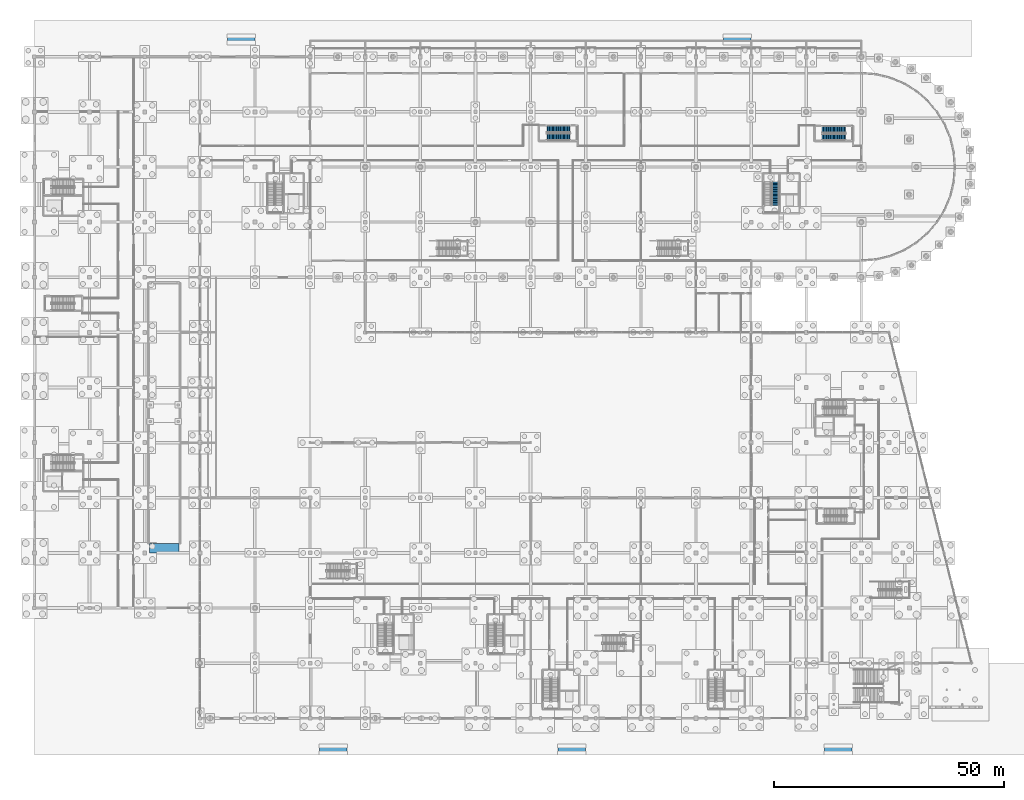
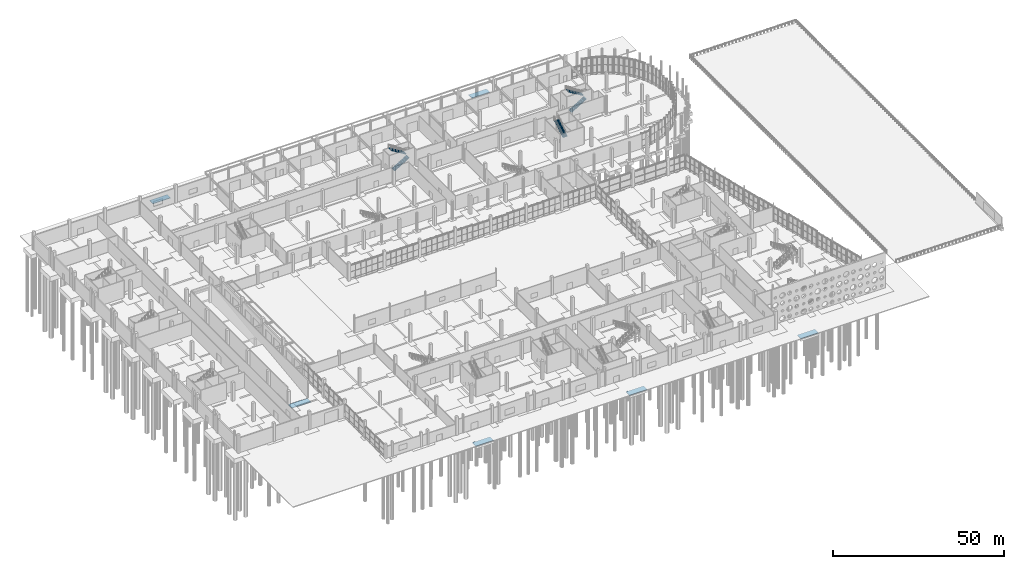
# One storey, part 99 of 117: 6 ramp flights, 5 stair flights, 9 elements without a shape of their own.
"""IFC4 building model written with IfcOpenShell, lengths in metres."""

from ifc_helpers import new_model, si_unit, direction, frame, origin, place, context, subcontext, project, spatial, polyline, outline, extrude, material, layer, layer_set, type_object, element, aggregate, save


model = new_model("IFC4")

# Units and contexts
model_context = context("Model", 3, precision=1e-05, world=origin(), true_north=direction((0.0, 1.0)))
body_context = subcontext(model_context, "Body", "Model", "MODEL_VIEW")
ifc_project = project(units=[si_unit("LENGTHUNIT", "METRE"), si_unit("AREAUNIT", "SQUARE_METRE"), si_unit("VOLUMEUNIT", "CUBIC_METRE"), si_unit("PLANEANGLEUNIT", "RADIAN"), si_unit("MASSUNIT", "GRAM", prefix="KILO")], contexts=[model_context])

# Site, building, storey
site_placement = place(None, origin())
site = spatial("IfcSite", under=ifc_project, at=site_placement, CompositionType="ELEMENT")
building_placement = place(site_placement, origin())
building = spatial("IfcBuilding", under=site, at=building_placement, Name="Kamomehara Wholesale Market", CompositionType="ELEMENT")
storey_placement = place(building_placement, origin())
storey = spatial("IfcBuildingStorey", under=building, at=storey_placement, Name="L00", CompositionType="ELEMENT", Elevation=0.0)

# Stair, stair flight
ifc_material_1 = material(Name="Concrete Fc36 (C35/45)", Category="concrete")
stair_type_1 = type_object("IfcStairType", Name="STR-DL-02", PredefinedType="HALF_TURN_STAIR", material=ifc_material_1)
stair_1_placement = place(storey_placement, origin())
stair_1 = element("IfcStair", 1, at=stair_1_placement, inside=storey, type_object=stair_type_1, Name="L00 Core exit stair ST-02", PredefinedType="HALF_TURN_STAIR")
ifc_material_2 = material(Name="Concrete Fc36 (C35/45)", Category="concrete")
ifc_layer_1 = layer(ifc_material_2, 0.199951171875)
ifc_layer_set_1 = layer_set([ifc_layer_1], Name="Concrete Fc36 (C35/45)")
stair_flight_type_1 = type_object("IfcStairFlightType", Name="SFL-01", PredefinedType="STRAIGHT", material=ifc_layer_set_1)
stair_flight_1_placement = place(storey_placement, frame((161.300048828125, 123.64990234375, 3.300048828125), z_axis=(0.0, 0.0, 1.0), x_axis=(0.0, 1.0, 0.0)))
stair_flight_1 = element("IfcStairFlight", 2, at=stair_flight_1_placement, type_object=stair_flight_type_1, Name="ST-02 flight 2", NumberOfRisers=18, NumberOfTreads=17, PredefinedType="STRAIGHT", RiserHeight=0.183333333, TreadLength=0.3, context=body_context, shape_type="SweptSolid", body=[
    extrude(outline(polyline([(0.0, 0.0), (0.0, 0.183349609375), (0.300048828125, 0.183349609375), (0.300048828125, 0.36669921875), (0.60009765625, 0.36669921875), (0.60009765625, 0.550048828125), (0.89990234375, 0.550048828125), (0.89990234375, 0.7333984375), (1.199951171875, 0.7333984375), (1.199951171875, 0.916748046875), (1.5, 0.916748046875), (1.5, 1.10009765625), (1.800048828125, 1.10009765625), (1.800048828125, 1.283447265625), (2.10009765625, 1.283447265625), (2.10009765625, 1.466552734375), (2.39990234375, 1.466552734375), (2.39990234375, 1.64990234375), (2.699951171875, 1.64990234375), (2.699951171875, 1.833251953125), (3.0, 1.833251953125), (3.0, 2.0166015625), (3.300048828125, 2.0166015625), (3.300048828125, 2.199951171875), (3.60009765625, 2.199951171875), (3.60009765625, 2.38330078125), (3.89990234375, 2.38330078125), (3.89990234375, 2.566650390625), (4.199951171875, 2.566650390625), (4.199951171875, 2.75), (4.5, 2.75), (4.5, 2.933349609375), (4.800048828125, 2.933349609375), (4.800048828125, 3.11669921875), (5.10009765625, 3.11669921875), (5.10009765625, 3.300048828125), (5.10009765625, 2.88232421875), (0.383544921875, 0.0), (0.0, 0.0)])), frame((0.0, 0.800048828125, 0.0), z_axis=(0.0, -1.0, 0.0), x_axis=(1.0, 0.0, 0.0)), (0.0, 0.0, 1.0), 1.60009765625),
])
aggregate(stair_1, [stair_flight_1])

# Stair, stair flights
ifc_material_3 = material(Name="Concrete Fc36 (C35/45)", Category="concrete")
stair_type_2 = type_object("IfcStairType", Name="STR-DL-04", PredefinedType="HALF_TURN_STAIR", material=ifc_material_3)
stair_2_placement = place(storey_placement, origin())
stair_2 = element("IfcStair", 3, at=stair_2_placement, inside=storey, type_object=stair_type_2, Name="L00 Exit stair ST-13", PredefinedType="HALF_TURN_STAIR")
stair_flight_2_placement = place(storey_placement, frame((111.530029296875, 138.514892578125, 0.0), z_axis=(0.0, 0.0, 1.0), x_axis=(1.0, 0.0, 0.0)))
stair_flight_2 = element("IfcStairFlight", 4, at=stair_flight_2_placement, type_object=stair_flight_type_1, Name="ST-13 flight 1", NumberOfRisers=18, NumberOfTreads=17, PredefinedType="STRAIGHT", RiserHeight=0.183333333, TreadLength=0.3, context=body_context, shape_type="SweptSolid", body=[
    extrude(outline(polyline([(0.0, 0.0), (0.0, 0.183349609375), (0.300048828125, 0.183349609375), (0.300048828125, 0.36669921875), (0.60009765625, 0.36669921875), (0.60009765625, 0.550048828125), (0.89990234375, 0.550048828125), (0.89990234375, 0.7333984375), (1.199951171875, 0.7333984375), (1.199951171875, 0.916748046875), (1.5, 0.916748046875), (1.5, 1.10009765625), (1.800048828125, 1.10009765625), (1.800048828125, 1.283447265625), (2.10009765625, 1.283447265625), (2.10009765625, 1.466552734375), (2.39990234375, 1.466552734375), (2.39990234375, 1.64990234375), (2.699951171875, 1.64990234375), (2.699951171875, 1.833251953125), (3.0, 1.833251953125), (3.0, 2.0166015625), (3.300048828125, 2.0166015625), (3.300048828125, 2.199951171875), (3.60009765625, 2.199951171875), (3.60009765625, 2.38330078125), (3.89990234375, 2.38330078125), (3.89990234375, 2.566650390625), (4.199951171875, 2.566650390625), (4.199951171875, 2.75), (4.5, 2.75), (4.5, 2.933349609375), (4.800048828125, 2.933349609375), (4.800048828125, 3.11669921875), (5.10009765625, 3.11669921875), (5.10009765625, 3.300048828125), (5.10009765625, 2.88232421875), (0.383544921875, 0.0), (0.0, 0.0)])), frame((0.0, 0.76513671875, 0.0), z_axis=(0.0, -1.0, 0.0), x_axis=(1.0, 0.0, 0.0)), (0.0, 0.0, 1.0), 1.530029296875),
])
stair_flight_3_placement = place(storey_placement, frame((116.6298828125, 140.2451171875, 3.300048828125), z_axis=(0.0, 0.0, 1.0), x_axis=(-1.0, 0.0, 0.0)))
stair_flight_3 = element("IfcStairFlight", 5, at=stair_flight_3_placement, type_object=stair_flight_type_1, Name="ST-13 flight 2", NumberOfRisers=18, NumberOfTreads=17, PredefinedType="STRAIGHT", RiserHeight=0.183333333, TreadLength=0.3, context=body_context, shape_type="SweptSolid", body=[
    extrude(outline(polyline([(0.0, 0.0), (0.0, 0.183349609375), (0.300048828125, 0.183349609375), (0.300048828125, 0.36669921875), (0.60009765625, 0.36669921875), (0.60009765625, 0.550048828125), (0.89990234375, 0.550048828125), (0.89990234375, 0.7333984375), (1.199951171875, 0.7333984375), (1.199951171875, 0.916748046875), (1.5, 0.916748046875), (1.5, 1.10009765625), (1.800048828125, 1.10009765625), (1.800048828125, 1.283447265625), (2.10009765625, 1.283447265625), (2.10009765625, 1.466552734375), (2.39990234375, 1.466552734375), (2.39990234375, 1.64990234375), (2.699951171875, 1.64990234375), (2.699951171875, 1.833251953125), (3.0, 1.833251953125), (3.0, 2.0166015625), (3.300048828125, 2.0166015625), (3.300048828125, 2.199951171875), (3.60009765625, 2.199951171875), (3.60009765625, 2.38330078125), (3.89990234375, 2.38330078125), (3.89990234375, 2.566650390625), (4.199951171875, 2.566650390625), (4.199951171875, 2.75), (4.5, 2.75), (4.5, 2.933349609375), (4.800048828125, 2.933349609375), (4.800048828125, 3.11669921875), (5.10009765625, 3.11669921875), (5.10009765625, 3.300048828125), (5.10009765625, 2.88232421875), (0.383544921875, 0.0), (0.0, 0.0)])), frame((0.0, 0.76513671875, 0.0), z_axis=(0.0, -1.0, 0.0), x_axis=(1.0, 0.0, 0.0)), (0.0, 0.0, 1.0), 1.530029296875),
])
aggregate(stair_2, [stair_flight_2, stair_flight_3])

ifc_material_4 = material(Name="Concrete Fc36 (C35/45)", Category="concrete")
stair_type_3 = type_object("IfcStairType", Name="STR-DL-03", PredefinedType="HALF_TURN_STAIR", material=ifc_material_4)
stair_3_placement = place(storey_placement, origin())
stair_3 = element("IfcStair", 6, at=stair_3_placement, inside=storey, type_object=stair_type_3, Name="L00 Exit stair ST-14", PredefinedType="HALF_TURN_STAIR")
ifc_material_5 = material(Name="Concrete Fc36 (C35/45)", Category="concrete")
ifc_layer_2 = layer(ifc_material_5, 0.219970703125)
ifc_layer_set_2 = layer_set([ifc_layer_2], Name="Concrete Fc36 (C35/45)")
stair_flight_type_2 = type_object("IfcStairFlightType", Name="SFL-02", PredefinedType="STRAIGHT", material=ifc_layer_set_2)
stair_flight_4_placement = place(storey_placement, frame((171.485107421875, 138.492431640625, 0.0), z_axis=(0.0, 0.0, 1.0), x_axis=(1.0, 0.0, 0.0)))
stair_flight_4 = element("IfcStairFlight", 7, at=stair_flight_4_placement, type_object=stair_flight_type_2, Name="ST-14 flight 1", NumberOfRisers=18, NumberOfTreads=17, PredefinedType="STRAIGHT", RiserHeight=0.183333333, TreadLength=0.3, context=body_context, shape_type="SweptSolid", body=[
    extrude(outline(polyline([(0.0, 0.0), (0.0, 0.183349609375), (0.300048828125, 0.183349609375), (0.300048828125, 0.36669921875), (0.60009765625, 0.36669921875), (0.60009765625, 0.550048828125), (0.89990234375, 0.550048828125), (0.89990234375, 0.7333984375), (1.199951171875, 0.7333984375), (1.199951171875, 0.916748046875), (1.5, 0.916748046875), (1.5, 1.10009765625), (1.800048828125, 1.10009765625), (1.800048828125, 1.283447265625), (2.10009765625, 1.283447265625), (2.10009765625, 1.466552734375), (2.39990234375, 1.466552734375), (2.39990234375, 1.64990234375), (2.699951171875, 1.64990234375), (2.699951171875, 1.833251953125), (3.0, 1.833251953125), (3.0, 2.0166015625), (3.300048828125, 2.0166015625), (3.300048828125, 2.199951171875), (3.60009765625, 2.199951171875), (3.60009765625, 2.38330078125), (3.89990234375, 2.38330078125), (3.89990234375, 2.566650390625), (4.199951171875, 2.566650390625), (4.199951171875, 2.75), (4.5, 2.75), (4.5, 2.933349609375), (4.800048828125, 2.933349609375), (4.800048828125, 3.11669921875), (5.10009765625, 3.11669921875), (5.10009765625, 3.300048828125), (5.10009765625, 2.88232421875), (0.383544921875, 0.0), (0.0, 0.0)])), frame((0.0, 0.74267578125, 0.0), z_axis=(0.0, -1.0, 0.0), x_axis=(1.0, 0.0, 0.0)), (0.0, 0.0, 1.0), 1.485107421875),
])
stair_flight_5_placement = place(storey_placement, frame((176.5849609375, 140.177490234375, 3.300048828125), z_axis=(0.0, 0.0, 1.0), x_axis=(-1.0, 0.0, 0.0)))
stair_flight_5 = element("IfcStairFlight", 8, at=stair_flight_5_placement, type_object=stair_flight_type_2, Name="ST-14 flight 2", NumberOfRisers=18, NumberOfTreads=17, PredefinedType="STRAIGHT", RiserHeight=0.183333333, TreadLength=0.3, context=body_context, shape_type="SweptSolid", body=[
    extrude(outline(polyline([(0.0, 0.0), (0.0, 0.183349609375), (0.300048828125, 0.183349609375), (0.300048828125, 0.36669921875), (0.60009765625, 0.36669921875), (0.60009765625, 0.550048828125), (0.89990234375, 0.550048828125), (0.89990234375, 0.7333984375), (1.199951171875, 0.7333984375), (1.199951171875, 0.916748046875), (1.5, 0.916748046875), (1.5, 1.10009765625), (1.800048828125, 1.10009765625), (1.800048828125, 1.283447265625), (2.10009765625, 1.283447265625), (2.10009765625, 1.466552734375), (2.39990234375, 1.466552734375), (2.39990234375, 1.64990234375), (2.699951171875, 1.64990234375), (2.699951171875, 1.833251953125), (3.0, 1.833251953125), (3.0, 2.0166015625), (3.300048828125, 2.0166015625), (3.300048828125, 2.199951171875), (3.60009765625, 2.199951171875), (3.60009765625, 2.38330078125), (3.89990234375, 2.38330078125), (3.89990234375, 2.566650390625), (4.199951171875, 2.566650390625), (4.199951171875, 2.75), (4.5, 2.75), (4.5, 2.933349609375), (4.800048828125, 2.933349609375), (4.800048828125, 3.11669921875), (5.10009765625, 3.11669921875), (5.10009765625, 3.300048828125), (5.10009765625, 2.88232421875), (0.383544921875, 0.0), (0.0, 0.0)])), frame((0.0, 0.74267578125, 0.0), z_axis=(0.0, -1.0, 0.0), x_axis=(1.0, 0.0, 0.0)), (0.0, 0.0, 1.0), 1.485107421875),
])
aggregate(stair_3, [stair_flight_4, stair_flight_5])

# Ramp, ramp flight
ifc_material_6 = material(Name="Concrete Fc36 (C35/45)", Category="concrete")
ramp_type_1 = type_object("IfcRampType", Name="RMP-VEH-01", PredefinedType="STRAIGHT_RUN_RAMP", material=ifc_material_6)
ramp_1_placement = place(storey_placement, origin())
ramp_1 = element("IfcRamp", 9, at=ramp_1_placement, inside=storey, type_object=ramp_type_1, Name="Covered truck service ramp VR-01", PredefinedType="STRAIGHT_RUN_RAMP")
ifc_material_7 = material(Name="Concrete Fc30 (C30/37)", Category="concrete")
ifc_layer_3 = layer(ifc_material_7, 0.199951171875)
ifc_layer_set_3 = layer_set([ifc_layer_3], Name="Concrete Fc30 (C30/37)")
ramp_flight_type = type_object("IfcRampFlightType", Name="RFL-PED-200", PredefinedType="STRAIGHT", material=ifc_layer_set_3)
ramp_flight_1_placement = place(storey_placement, frame((25.0, 48.0, -0.0400390625), z_axis=(0.0, -0.020015520725, 0.999799669399), x_axis=(1.0, 0.0, 0.0)))
ramp_flight_1 = element("IfcRampFlight", 10, at=ramp_flight_1_placement, type_object=ramp_flight_type, Name="Truck ramp entry threshold apron", PredefinedType="STRAIGHT", context=body_context, shape_type="SweptSolid", body=[
    extrude(outline(polyline([(0.0, 0.0), (6.5, 0.0), (6.5, 2.0004007414830354), (0.0, 2.0004007414830354), (0.0, 0.0)])), origin(), (0.0, 0.0, -1.0), 0.199951171875),
])
aggregate(ramp_1, [ramp_flight_1])

ifc_material_8 = material(Name="Concrete Fc30 (C30/37)", Category="concrete")
ramp_type_2 = type_object("IfcRampType", Name="RMP-PED-01", PredefinedType="STRAIGHT_RUN_RAMP", material=ifc_material_8)
ramp_2_placement = place(storey_placement, origin())
ramp_2 = element("IfcRamp", 11, at=ramp_2_placement, inside=storey, type_object=ramp_type_2, Name="Accessible pedestrian entrance ramp PR-01", PredefinedType="STRAIGHT_RUN_RAMP")
ramp_flight_2_placement = place(storey_placement, frame((62.0, 4.199951171875, -0.080078125), z_axis=(0.0, -0.040007007195, 0.999199399207), x_axis=(1.0, 0.0, 0.0)))
ramp_flight_2 = element("IfcRampFlight", 12, at=ramp_flight_2_placement, type_object=ramp_flight_type, Name="Accessible ramp flight PR-01", PredefinedType="STRAIGHT", context=body_context, shape_type="SweptSolid", body=[
    extrude(outline(polyline([(0.0, 0.0), (6.0, 0.0), (6.0, 2.0016024845367064), (0.0, 2.0016024845367064), (0.0, 0.0)])), origin(), (0.0, 0.0, -1.0), 0.199951171875),
])
aggregate(ramp_2, [ramp_flight_2])

ramp_3_placement = place(storey_placement, origin())
ramp_3 = element("IfcRamp", 13, at=ramp_3_placement, inside=storey, type_object=ramp_type_2, Name="Accessible pedestrian entrance ramp PR-02", PredefinedType="STRAIGHT_RUN_RAMP")
ramp_flight_3_placement = place(storey_placement, frame((114.0, 4.199951171875, -0.080078125), z_axis=(0.0, -0.040007007195, 0.999199399207), x_axis=(1.0, 0.0, 0.0)))
ramp_flight_3 = element("IfcRampFlight", 14, at=ramp_flight_3_placement, type_object=ramp_flight_type, Name="Accessible ramp flight PR-02", PredefinedType="STRAIGHT", context=body_context, shape_type="SweptSolid", body=[
    extrude(outline(polyline([(0.0, 0.0), (6.0, 0.0), (6.0, 2.0016024845367064), (0.0, 2.0016024845367064), (0.0, 0.0)])), origin(), (0.0, 0.0, -1.0), 0.199951171875),
])
aggregate(ramp_3, [ramp_flight_3])

ramp_4_placement = place(storey_placement, origin())
ramp_4 = element("IfcRamp", 15, at=ramp_4_placement, inside=storey, type_object=ramp_type_2, Name="Accessible pedestrian entrance ramp PR-03", PredefinedType="STRAIGHT_RUN_RAMP")
ramp_flight_4_placement = place(storey_placement, frame((172.0, 4.199951171875, -0.080078125), z_axis=(0.0, -0.040007007195, 0.999199399207), x_axis=(1.0, 0.0, 0.0)))
ramp_flight_4 = element("IfcRampFlight", 16, at=ramp_flight_4_placement, type_object=ramp_flight_type, Name="Accessible ramp flight PR-03", PredefinedType="STRAIGHT", context=body_context, shape_type="SweptSolid", body=[
    extrude(outline(polyline([(0.0, 0.0), (6.0, 0.0), (6.0, 2.0016024845367064), (0.0, 2.0016024845367064), (0.0, 0.0)])), origin(), (0.0, 0.0, -1.0), 0.199951171875),
])
aggregate(ramp_4, [ramp_flight_4])

ramp_5_placement = place(storey_placement, origin())
ramp_5 = element("IfcRamp", 17, at=ramp_5_placement, inside=storey, type_object=ramp_type_2, Name="Accessible pedestrian entrance ramp PR-04", PredefinedType="STRAIGHT_RUN_RAMP")
ramp_flight_5_placement = place(storey_placement, frame((42.0, 158.800048828125, 0.0), z_axis=(0.0, 0.040007007195, 0.999199399207), x_axis=(1.0, 0.0, 0.0)))
ramp_flight_5 = element("IfcRampFlight", 18, at=ramp_flight_5_placement, type_object=ramp_flight_type, Name="Accessible ramp flight PR-04", PredefinedType="STRAIGHT", context=body_context, shape_type="SweptSolid", body=[
    extrude(outline(polyline([(0.0, 0.0), (6.0, 0.0), (6.0, 2.0016024845367064), (0.0, 2.0016024845367064), (0.0, 0.0)])), origin(), (0.0, 0.0, -1.0), 0.199951171875),
])
aggregate(ramp_5, [ramp_flight_5])

ramp_6_placement = place(storey_placement, origin())
ramp_6 = element("IfcRamp", 19, at=ramp_6_placement, inside=storey, type_object=ramp_type_2, Name="Accessible pedestrian entrance ramp PR-05", PredefinedType="STRAIGHT_RUN_RAMP")
ramp_flight_6_placement = place(storey_placement, frame((150.0, 158.800048828125, 0.0), z_axis=(0.0, 0.040007007195, 0.999199399207), x_axis=(1.0, 0.0, 0.0)))
ramp_flight_6 = element("IfcRampFlight", 20, at=ramp_flight_6_placement, type_object=ramp_flight_type, Name="Accessible ramp flight PR-05", PredefinedType="STRAIGHT", context=body_context, shape_type="SweptSolid", body=[
    extrude(outline(polyline([(0.0, 0.0), (6.0, 0.0), (6.0, 2.0016024845367064), (0.0, 2.0016024845367064), (0.0, 0.0)])), origin(), (0.0, 0.0, -1.0), 0.199951171875),
])
aggregate(ramp_6, [ramp_flight_6])

save(model, "model.ifc")
